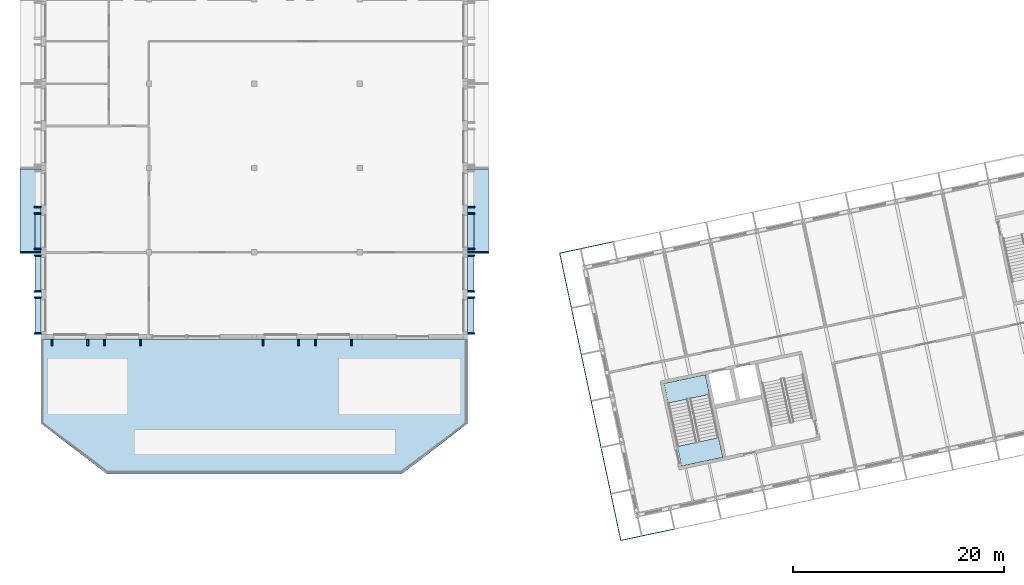
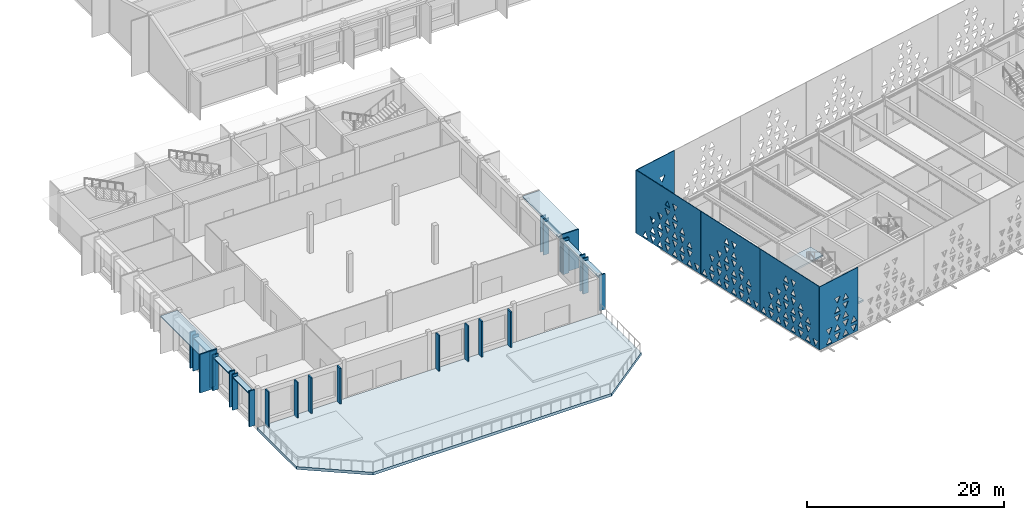
# One storey, part 102 of 196: 37 plates, 3 slabs, 1 element without a shape of its own.
"""IFC4 building model written with IfcOpenShell, lengths in metres."""

from ifc_helpers import new_model, si_unit, direction, frame, origin, origin_2d, place, context, subcontext, project, spatial, polyline, rectangle, outline, extrude, material, layer, layer_set, type_object, element, aggregate, save


model = new_model("IFC4")

# Units and contexts
model_context = context("Model", 3, precision=1e-05, world=origin(), true_north=direction((0.0, 1.0)))
body_context = subcontext(model_context, "Body", "Model", "MODEL_VIEW")
ifc_project = project(units=[si_unit("LENGTHUNIT", "METRE"), si_unit("AREAUNIT", "SQUARE_METRE"), si_unit("VOLUMEUNIT", "CUBIC_METRE"), si_unit("PLANEANGLEUNIT", "RADIAN"), si_unit("MASSUNIT", "GRAM", prefix="KILO")], contexts=[model_context])

# Site, building, storey
site_placement = place(None, origin())
site = spatial("IfcSite", under=ifc_project, at=site_placement, CompositionType="ELEMENT")
building_placement = place(site_placement, origin())
building = spatial("IfcBuilding", under=site, at=building_placement, Name="Okhra Congress Centre", CompositionType="ELEMENT")
storey_placement = place(building_placement, frame((0.0, 0.0, 12.0)))
storey = spatial("IfcBuildingStorey", under=building, at=storey_placement, Name="L02", CompositionType="ELEMENT", Elevation=12.0)

# Plates
ifc_material_1 = material(Name="Anodised aluminium extrusion", Category="aluminium")
plate_type_1 = type_object("IfcPlateType", Name="Aluminium fin 150x650", PredefinedType="SHEET", material=ifc_material_1)
for number, where, z_axis, x_axis, name in (
    (1, (6.800048828125, 43.449951171875, 0.0), (0.0, 0.0, 1.0), (1.0, 0.0, 0.0), "RS.PLT.L02.1"),
    (2, (10.199951171875, 43.449951171875, 0.0), (0.0, 0.0, 1.0), (1.0, 0.0, 0.0), "RS.PLT.L02.2"),
    (3, (11.800048828125, 43.449951171875, 0.0), (0.0, 0.0, 1.0), (1.0, 0.0, 0.0), "RS.PLT.L02.3"),
    (4, (15.199951171875, 43.449951171875, 0.0), (0.0, 0.0, 1.0), (1.0, 0.0, 0.0), "RS.PLT.L02.4"),
    (5, (26.800048828125, 43.449951171875, 0.0), (0.0, 0.0, 1.0), (1.0, 0.0, 0.0), "RS.PLT.L02.5"),
    (6, (30.199951171875, 43.449951171875, 0.0), (0.0, 0.0, 1.0), (1.0, 0.0, 0.0), "RS.PLT.L02.6"),
    (7, (31.800048828125, 43.449951171875, 0.0), (0.0, 0.0, 1.0), (1.0, 0.0, 0.0), "RS.PLT.L02.7"),
    (8, (35.199951171875, 43.449951171875, 0.0), (0.0, 0.0, 1.0), (1.0, 0.0, 0.0), "RS.PLT.L02.8"),
    (9, (5.449951171875, 44.300048828125, 0.0), (0.0, 0.0, 1.0), (0.0, -1.0, 0.0), "RS.PLT.L02.13"),
    (10, (5.449951171875, 47.699951171875, 0.0), (0.0, 0.0, 1.0), (0.0, -1.0, 0.0), "RS.PLT.L02.14"),
    (11, (5.449951171875, 48.300048828125, 0.0), (0.0, 0.0, 1.0), (0.0, -1.0, 0.0), "RS.PLT.L02.15"),
    (12, (5.449951171875, 51.699951171875, 0.0), (0.0, 0.0, 1.0), (0.0, -1.0, 0.0), "RS.PLT.L02.16"),
    (13, (5.449951171875, 52.300048828125, 0.0), (0.0, 0.0, 1.0), (0.0, -1.0, 0.0), "RS.PLT.L02.17"),
    (14, (5.449951171875, 55.699951171875, 0.0), (0.0, 0.0, 1.0), (0.0, -1.0, 0.0), "RS.PLT.L02.18"),
    (15, (5.449951171875, 56.300048828125, 0.0), (0.0, 0.0, 1.0), (0.0, -1.0, 0.0), "RS.PLT.L02.19"),
    (16, (46.550048828125, 44.300048828125, 0.0), (0.0, 0.0, 1.0), (0.0, 1.0, 0.0), "RS.PLT.L02.29"),
    (17, (46.550048828125, 47.699951171875, 0.0), (0.0, 0.0, 1.0), (0.0, 1.0, 0.0), "RS.PLT.L02.30"),
    (18, (46.550048828125, 48.300048828125, 0.0), (0.0, 0.0, 1.0), (0.0, 1.0, 0.0), "RS.PLT.L02.31"),
    (19, (46.550048828125, 51.699951171875, 0.0), (0.0, 0.0, 1.0), (0.0, 1.0, 0.0), "RS.PLT.L02.32"),
    (20, (46.550048828125, 52.300048828125, 0.0), (0.0, 0.0, 1.0), (0.0, 1.0, 0.0), "RS.PLT.L02.33"),
    (21, (46.550048828125, 55.699951171875, 0.0), (0.0, 0.0, 1.0), (0.0, 1.0, 0.0), "RS.PLT.L02.34"),
    (22, (46.550048828125, 56.300048828125, 0.0), (0.0, 0.0, 1.0), (0.0, 1.0, 0.0), "RS.PLT.L02.35"),
):
    element("IfcPlate", number, at=place(storey_placement, frame(where, z_axis=z_axis, x_axis=x_axis)), inside=storey, type_object=plate_type_1, Name=name, PredefinedType="SHEET", context=body_context, shape_type="SweptSolid", body=[
        extrude(rectangle(XDim=0.14990234375, YDim=0.64990234375, at=origin_2d()), origin(), (0.0, 0.0, 1.0), 4.429931640625),
    ])
ifc_material_2 = material(Name="Precast concrete C40/50", Category="concrete")
plate_type_2 = type_object("IfcPlateType", Name="Precast concrete blade 150x2000 C40/50", PredefinedType="SHEET", material=ifc_material_2)
for number, where, z_axis, x_axis, name in (
    (23, (4.77490234375, 52.0, 0.0), (0.0, 0.0, 1.0), (0.0, -1.0, 0.0), "RS.PLT.L02.blade-19"),
    (24, (47.22509765625, 52.0, 0.0), (0.0, 0.0, 1.0), (0.0, 1.0, 0.0), "RS.PLT.L02.blade-23"),
):
    element("IfcPlate", number, at=place(storey_placement, frame(where, z_axis=z_axis, x_axis=x_axis)), inside=storey, type_object=plate_type_2, Name=name, PredefinedType="SHEET", context=body_context, shape_type="SweptSolid", body=[
        extrude(rectangle(XDim=0.14990234375, YDim=2.0, at=origin_2d()), origin(), (0.0, 0.0, 1.0), 4.800048828125),
    ])
ifc_layer_1 = layer(ifc_material_2, 0.14990234375)
ifc_layer_set_1 = layer_set([ifc_layer_1], Name="Precast concrete shelf 150x2000 C40/50")
plate_type_3 = type_object("IfcPlateType", Name="Precast concrete shelf 150x2000 C40/50", PredefinedType="SHEET", material=ifc_layer_set_1)
for number, where, z_axis, x_axis, name in (
    (25, (4.77490234375, 56.0, 4.60009765625), (0.0, 0.0, 1.0), (0.0, -1.0, 0.0), "RS.PLT.L02.shelf-17"),
    (26, (47.22509765625, 56.0, 4.60009765625), (0.0, 0.0, 1.0), (0.0, 1.0, 0.0), "RS.PLT.L02.shelf-21"),
):
    element("IfcPlate", number, at=place(storey_placement, frame(where, z_axis=z_axis, x_axis=x_axis)), inside=storey, type_object=plate_type_3, Name=name, PredefinedType="SHEET", context=body_context, shape_type="SweptSolid", body=[
        extrude(rectangle(XDim=7.840087890625, YDim=2.0, at=origin_2d()), origin(), (0.0, 0.0, 1.0), 0.14990234375),
    ])

# Slab
ifc_material_3 = material(Name="Concrete C30/37", Category="concrete")
ifc_layer_2 = layer(ifc_material_3, 0.199951171875)
ifc_layer_set_2 = layer_set([ifc_layer_2], Name="RC floor slab 200 REI 120 C30/37")
slab_type_1 = type_object("IfcSlabType", Name="RC floor slab 200 REI 120 C30/37", PredefinedType="FLOOR", material=ifc_layer_set_2)
slab_1_placement = place(storey_placement, frame((0.0, 0.0, -0.199951171875)))
element("IfcSlab", 27, at=slab_1_placement, inside=storey, type_object=slab_type_1, Name="Stair floor landing 1A L02", PredefinedType="FLOOR", context=body_context, shape_type="SweptSolid", body=[
    extrude(outline(polyline([(70.425537109375, 32.562255859375), (66.503173828125, 31.728515625), (66.106201171875, 33.596923828125), (70.028564453125, 34.4306640625), (70.425537109375, 32.562255859375)])), origin(), (0.0, 0.0, 1.0), 0.199951171875),
])

# Stair, slab
stair_type = type_object("IfcStairType", Name="Escape stair 1900 wide, 30 risers of 160.0", PredefinedType="HALF_TURN_STAIR", material=ifc_material_3)
stair_placement = place(storey_placement, origin())
stair = element("IfcStair", 28, at=stair_placement, inside=storey, type_object=stair_type, Name="L02 Escape stair 1A", PredefinedType="HALF_TURN_STAIR")
ifc_layer_3 = layer(ifc_material_3, 0.199951171875)
ifc_layer_set_3 = layer_set([ifc_layer_3], Name="RC stair landing 200 C30/37")
slab_type_2 = type_object("IfcSlabType", Name="RC stair landing 200 C30/37", PredefinedType="LANDING", material=ifc_layer_set_3)
slab_2_placement = place(storey_placement, frame((0.0, 0.0, 2.199951171875)))
slab_2 = element("IfcSlab", 29, at=slab_2_placement, type_object=slab_type_2, Name="BS1A landing 1", PredefinedType="LANDING", context=body_context, shape_type="SweptSolid", body=[
    extrude(outline(polyline([(69.1572265625, 38.529052734375), (65.23486328125, 37.6953125), (64.837890625, 39.5634765625), (68.76025390625, 40.397216796875), (69.1572265625, 38.529052734375)])), origin(), (0.0, 0.0, 1.0), 0.199951171875),
])
aggregate(stair, [slab_2])

# Slab
ifc_material_4 = material(Name="Concrete C35/45", Category="concrete")
ifc_layer_4 = layer(ifc_material_4, 0.35009765625)
ifc_layer_set_4 = layer_set([ifc_layer_4], Name="RC terrace slab 350 REI 120 C35/45")
slab_type_3 = type_object("IfcSlabType", Name="RC terrace slab 350 REI 120 C35/45", PredefinedType="ROOF", material=ifc_layer_set_4)
slab_3_placement = place(storey_placement, frame((0.0, 0.0, -0.35009765625)))
element("IfcSlab", 30, at=slab_3_placement, inside=storey, type_object=slab_type_3, Name="Restaurant terrace slab with prow", PredefinedType="ROOF", context=body_context, shape_type="SweptSolid", body=[
    extrude(outline(polyline([(5.77490234375, 35.77490234375), (12.0, 31.0), (40.0, 31.0), (46.22509765625, 35.77490234375), (46.22509765625, 43.77490234375), (5.77490234375, 43.77490234375), (5.77490234375, 35.77490234375)])), origin(), (0.0, 0.0, 1.0), 0.35009765625),
])

# Plates
ifc_material_5 = material(Name="Fired clay terracotta rainscreen panel, deep oxide-red glaze, non-combustible", Category="masonry")
ifc_layer_5 = layer(ifc_material_5, 0.080078125)
ifc_layer_set_5 = layer_set([ifc_layer_5], Name="Terracotta screen panel 5230x7840")
plate_type_4 = type_object("IfcPlateType", Name="Terracotta screen panel 5230x7840", PredefinedType="SHEET", material=ifc_layer_set_5)
plate_1_placement = place(storey_placement, frame((60.708251953125, 24.674560546875, 1.949951171875), z_axis=(0.0, 0.0, 1.0), x_axis=(0.978146748157, 0.207915701837, 0.0)))
element("IfcPlate", 31, at=plate_1_placement, inside=storey, type_object=plate_type_4, Name="Screen panel S1 Tier 2", PredefinedType="SHEET", context=body_context, shape_type="SweptSolid", body=[
    extrude(outline(polyline([(0.0, 0.0), (5.22998046875, 0.0), (5.22998046875, 7.840087890625), (0.0, 7.840087890625), (0.0, 0.0)]), holes=[polyline([(0.926513671875, 0.183837890625), (1.693603515625, 0.183837890625), (1.31005859375, 0.93603515625), (0.926513671875, 0.183837890625)]), polyline([(2.04638671875, 0.93603515625), (2.429931640625, 0.183837890625), (2.8134765625, 0.93603515625), (2.04638671875, 0.93603515625)]), polyline([(3.16650390625, 0.183837890625), (3.93359375, 0.183837890625), (3.550048828125, 0.93603515625), (3.16650390625, 0.183837890625)]), polyline([(4.286376953125, 0.93603515625), (4.669921875, 0.183837890625), (5.0537109375, 0.93603515625), (4.286376953125, 0.93603515625)]), polyline([(0.926513671875, 2.05615234375), (1.31005859375, 1.303955078125), (1.693603515625, 2.05615234375), (0.926513671875, 2.05615234375)]), polyline([(2.04638671875, 1.303955078125), (2.8134765625, 1.303955078125), (2.429931640625, 2.05615234375), (2.04638671875, 1.303955078125)]), polyline([(3.16650390625, 2.05615234375), (3.550048828125, 1.303955078125), (3.93359375, 2.05615234375), (3.16650390625, 2.05615234375)]), polyline([(4.286376953125, 1.303955078125), (5.0537109375, 1.303955078125), (4.669921875, 2.05615234375), (4.286376953125, 1.303955078125)]), polyline([(2.04638671875, 3.176025390625), (2.429931640625, 2.423828125), (2.8134765625, 3.176025390625), (2.04638671875, 3.176025390625)]), polyline([(3.16650390625, 2.423828125), (3.93359375, 2.423828125), (3.550048828125, 3.176025390625), (3.16650390625, 2.423828125)]), polyline([(2.04638671875, 3.5439453125), (2.8134765625, 3.5439453125), (2.429931640625, 4.296142578125), (2.04638671875, 3.5439453125)]), polyline([(3.16650390625, 4.296142578125), (3.550048828125, 3.5439453125), (3.93359375, 4.296142578125), (3.16650390625, 4.296142578125)]), polyline([(2.04638671875, 5.416015625), (2.429931640625, 4.663818359375), (2.8134765625, 5.416015625), (2.04638671875, 5.416015625)]), polyline([(3.16650390625, 4.663818359375), (3.93359375, 4.663818359375), (3.550048828125, 5.416015625), (3.16650390625, 4.663818359375)])]), frame((0.0, 0.0400390625, 0.0), z_axis=(0.0, -1.0, 0.0), x_axis=(1.0, 0.0, 0.0)), (0.0, 0.0, 1.0), 0.080078125),
])
plate_2_placement = place(storey_placement, frame((60.033447265625, 53.00341796875, 1.949951171875), z_axis=(0.0, 0.0, 1.0), x_axis=(-0.978146748157, -0.207915701837, 0.0)))
element("IfcPlate", 32, at=plate_2_placement, inside=storey, type_object=plate_type_4, Name="Screen panel N19 Tier 2", PredefinedType="SHEET", context=body_context, shape_type="SweptSolid", body=[
    extrude(outline(polyline([(0.0, 0.0), (5.22998046875, 0.0), (5.22998046875, 7.840087890625), (0.0, 7.840087890625), (0.0, 0.0)]), holes=[polyline([(0.176513671875, 0.183837890625), (0.943603515625, 0.183837890625), (0.56005859375, 0.93603515625), (0.176513671875, 0.183837890625)]), polyline([(1.29638671875, 0.93603515625), (1.679931640625, 0.183837890625), (2.0634765625, 0.93603515625), (1.29638671875, 0.93603515625)]), polyline([(2.41650390625, 0.183837890625), (3.18359375, 0.183837890625), (2.800048828125, 0.93603515625), (2.41650390625, 0.183837890625)]), polyline([(3.536376953125, 0.93603515625), (3.919921875, 0.183837890625), (4.3037109375, 0.93603515625), (3.536376953125, 0.93603515625)]), polyline([(0.176513671875, 2.05615234375), (0.56005859375, 1.303955078125), (0.943603515625, 2.05615234375), (0.176513671875, 2.05615234375)]), polyline([(1.29638671875, 1.303955078125), (2.0634765625, 1.303955078125), (1.679931640625, 2.05615234375), (1.29638671875, 1.303955078125)]), polyline([(2.41650390625, 2.05615234375), (2.800048828125, 1.303955078125), (3.18359375, 2.05615234375), (2.41650390625, 2.05615234375)]), polyline([(3.536376953125, 1.303955078125), (4.3037109375, 1.303955078125), (3.919921875, 2.05615234375), (3.536376953125, 1.303955078125)]), polyline([(1.29638671875, 3.176025390625), (1.679931640625, 2.423828125), (2.0634765625, 3.176025390625), (1.29638671875, 3.176025390625)]), polyline([(2.41650390625, 2.423828125), (3.18359375, 2.423828125), (2.800048828125, 3.176025390625), (2.41650390625, 2.423828125)]), polyline([(1.29638671875, 3.5439453125), (2.0634765625, 3.5439453125), (1.679931640625, 4.296142578125), (1.29638671875, 3.5439453125)]), polyline([(2.41650390625, 4.296142578125), (2.800048828125, 3.5439453125), (3.18359375, 4.296142578125), (2.41650390625, 4.296142578125)]), polyline([(1.29638671875, 5.416015625), (1.679931640625, 4.663818359375), (2.0634765625, 5.416015625), (1.29638671875, 5.416015625)]), polyline([(2.41650390625, 4.663818359375), (3.18359375, 4.663818359375), (2.800048828125, 5.416015625), (2.41650390625, 4.663818359375)])]), frame((0.0, 0.0400390625, 0.0), z_axis=(0.0, -1.0, 0.0), x_axis=(1.0, 0.0, 0.0)), (0.0, 0.0, 1.0), 0.080078125),
])
ifc_layer_6 = layer(ifc_material_5, 0.080078125)
ifc_layer_set_6 = layer_set([ifc_layer_6], Name="Terracotta screen panel 8970x7840")
plate_type_5 = type_object("IfcPlateType", Name="Terracotta screen panel 8970x7840", PredefinedType="SHEET", material=ifc_layer_set_6)
plate_3_placement = place(storey_placement, frame((58.8740234375, 33.49609375, 1.949951171875), z_axis=(0.0, 0.0, 1.0), x_axis=(0.207915396115, -0.978146813141, 0.0)))
element("IfcPlate", 33, at=plate_3_placement, inside=storey, type_object=plate_type_5, Name="Screen panel W3 Tier 2", PredefinedType="SHEET", context=body_context, shape_type="SweptSolid", body=[
    extrude(outline(polyline([(0.0, 0.0), (8.969970703125, 0.0), (8.969970703125, 7.840087890625), (0.0, 7.840087890625), (0.0, 0.0)]), holes=[polyline([(0.176513671875, 0.183837890625), (0.943603515625, 0.183837890625), (0.56005859375, 0.93603515625), (0.176513671875, 0.183837890625)]), polyline([(1.29638671875, 0.93603515625), (1.679931640625, 0.183837890625), (2.0634765625, 0.93603515625), (1.29638671875, 0.93603515625)]), polyline([(2.41650390625, 0.183837890625), (3.18359375, 0.183837890625), (2.800048828125, 0.93603515625), (2.41650390625, 0.183837890625)]), polyline([(3.536376953125, 0.93603515625), (3.919921875, 0.183837890625), (4.3037109375, 0.93603515625), (3.536376953125, 0.93603515625)]), polyline([(4.656494140625, 0.183837890625), (5.423583984375, 0.183837890625), (5.0400390625, 0.93603515625), (4.656494140625, 0.183837890625)]), polyline([(5.7763671875, 0.93603515625), (6.159912109375, 0.183837890625), (6.543701171875, 0.93603515625), (5.7763671875, 0.93603515625)]), polyline([(6.896484375, 0.183837890625), (7.66357421875, 0.183837890625), (7.280029296875, 0.93603515625), (6.896484375, 0.183837890625)]), polyline([(8.016357421875, 0.93603515625), (8.39990234375, 0.183837890625), (8.78369140625, 0.93603515625), (8.016357421875, 0.93603515625)]), polyline([(1.29638671875, 1.303955078125), (2.0634765625, 1.303955078125), (1.679931640625, 2.05615234375), (1.29638671875, 1.303955078125)]), polyline([(2.41650390625, 2.05615234375), (2.800048828125, 1.303955078125), (3.18359375, 2.05615234375), (2.41650390625, 2.05615234375)]), polyline([(3.536376953125, 1.303955078125), (4.3037109375, 1.303955078125), (3.919921875, 2.05615234375), (3.536376953125, 1.303955078125)]), polyline([(4.656494140625, 2.05615234375), (5.0400390625, 1.303955078125), (5.423583984375, 2.05615234375), (4.656494140625, 2.05615234375)]), polyline([(5.7763671875, 1.303955078125), (6.543701171875, 1.303955078125), (6.159912109375, 2.05615234375), (5.7763671875, 1.303955078125)]), polyline([(6.896484375, 2.05615234375), (7.280029296875, 1.303955078125), (7.66357421875, 2.05615234375), (6.896484375, 2.05615234375)]), polyline([(1.29638671875, 3.176025390625), (1.679931640625, 2.423828125), (2.0634765625, 3.176025390625), (1.29638671875, 3.176025390625)]), polyline([(2.41650390625, 2.423828125), (3.18359375, 2.423828125), (2.800048828125, 3.176025390625), (2.41650390625, 2.423828125)]), polyline([(3.536376953125, 3.176025390625), (3.919921875, 2.423828125), (4.3037109375, 3.176025390625), (3.536376953125, 3.176025390625)]), polyline([(4.656494140625, 2.423828125), (5.423583984375, 2.423828125), (5.0400390625, 3.176025390625), (4.656494140625, 2.423828125)]), polyline([(5.7763671875, 3.176025390625), (6.159912109375, 2.423828125), (6.543701171875, 3.176025390625), (5.7763671875, 3.176025390625)]), polyline([(6.896484375, 2.423828125), (7.66357421875, 2.423828125), (7.280029296875, 3.176025390625), (6.896484375, 2.423828125)]), polyline([(2.41650390625, 4.296142578125), (2.800048828125, 3.5439453125), (3.18359375, 4.296142578125), (2.41650390625, 4.296142578125)]), polyline([(3.536376953125, 3.5439453125), (4.3037109375, 3.5439453125), (3.919921875, 4.296142578125), (3.536376953125, 3.5439453125)]), polyline([(4.656494140625, 4.296142578125), (5.0400390625, 3.5439453125), (5.423583984375, 4.296142578125), (4.656494140625, 4.296142578125)]), polyline([(5.7763671875, 3.5439453125), (6.543701171875, 3.5439453125), (6.159912109375, 4.296142578125), (5.7763671875, 3.5439453125)]), polyline([(3.536376953125, 5.416015625), (3.919921875, 4.663818359375), (4.3037109375, 5.416015625), (3.536376953125, 5.416015625)]), polyline([(4.656494140625, 4.663818359375), (5.423583984375, 4.663818359375), (5.0400390625, 5.416015625), (4.656494140625, 4.663818359375)]), polyline([(3.536376953125, 5.783935546875), (4.3037109375, 5.783935546875), (3.919921875, 6.5361328125), (3.536376953125, 5.783935546875)]), polyline([(4.656494140625, 6.5361328125), (5.0400390625, 5.783935546875), (5.423583984375, 6.5361328125), (4.656494140625, 6.5361328125)])]), frame((0.0, 0.0400390625, 0.0), z_axis=(0.0, -1.0, 0.0), x_axis=(1.0, 0.0, 0.0)), (0.0, 0.0, 1.0), 0.080078125),
])
ifc_layer_7 = layer(ifc_material_5, 0.080078125)
ifc_layer_set_7 = layer_set([ifc_layer_7], Name="Terracotta screen panel 8980x7840")
plate_type_6 = type_object("IfcPlateType", Name="Terracotta screen panel 8980x7840", PredefinedType="SHEET", material=ifc_layer_set_7)
plate_4_placement = place(storey_placement, frame((57.0029296875, 42.29931640625, 1.949951171875), z_axis=(0.0, 0.0, 1.0), x_axis=(0.207902327047, -0.978149591018, 0.0)))
element("IfcPlate", 34, at=plate_4_placement, inside=storey, type_object=plate_type_6, Name="Screen panel W2 Tier 2", PredefinedType="SHEET", context=body_context, shape_type="SweptSolid", body=[
    extrude(outline(polyline([(0.0, 0.0), (8.97998046875, 0.0), (8.97998046875, 7.840087890625), (0.0, 7.840087890625), (0.0, 0.0)]), holes=[polyline([(0.176513671875, 0.183837890625), (0.943603515625, 0.183837890625), (0.56005859375, 0.93603515625), (0.176513671875, 0.183837890625)]), polyline([(1.29638671875, 0.93603515625), (1.679931640625, 0.183837890625), (2.0634765625, 0.93603515625), (1.29638671875, 0.93603515625)]), polyline([(2.41650390625, 0.183837890625), (3.18359375, 0.183837890625), (2.800048828125, 0.93603515625), (2.41650390625, 0.183837890625)]), polyline([(3.536376953125, 0.93603515625), (3.919921875, 0.183837890625), (4.3037109375, 0.93603515625), (3.536376953125, 0.93603515625)]), polyline([(4.656494140625, 0.183837890625), (5.423583984375, 0.183837890625), (5.0400390625, 0.93603515625), (4.656494140625, 0.183837890625)]), polyline([(5.7763671875, 0.93603515625), (6.159912109375, 0.183837890625), (6.543701171875, 0.93603515625), (5.7763671875, 0.93603515625)]), polyline([(6.896484375, 0.183837890625), (7.66357421875, 0.183837890625), (7.280029296875, 0.93603515625), (6.896484375, 0.183837890625)]), polyline([(8.016357421875, 0.93603515625), (8.39990234375, 0.183837890625), (8.78369140625, 0.93603515625), (8.016357421875, 0.93603515625)]), polyline([(1.29638671875, 1.303955078125), (2.0634765625, 1.303955078125), (1.679931640625, 2.05615234375), (1.29638671875, 1.303955078125)]), polyline([(2.41650390625, 2.05615234375), (2.800048828125, 1.303955078125), (3.18359375, 2.05615234375), (2.41650390625, 2.05615234375)]), polyline([(3.536376953125, 1.303955078125), (4.3037109375, 1.303955078125), (3.919921875, 2.05615234375), (3.536376953125, 1.303955078125)]), polyline([(4.656494140625, 2.05615234375), (5.0400390625, 1.303955078125), (5.423583984375, 2.05615234375), (4.656494140625, 2.05615234375)]), polyline([(5.7763671875, 1.303955078125), (6.543701171875, 1.303955078125), (6.159912109375, 2.05615234375), (5.7763671875, 1.303955078125)]), polyline([(6.896484375, 2.05615234375), (7.280029296875, 1.303955078125), (7.66357421875, 2.05615234375), (6.896484375, 2.05615234375)]), polyline([(1.29638671875, 3.176025390625), (1.679931640625, 2.423828125), (2.0634765625, 3.176025390625), (1.29638671875, 3.176025390625)]), polyline([(2.41650390625, 2.423828125), (3.18359375, 2.423828125), (2.800048828125, 3.176025390625), (2.41650390625, 2.423828125)]), polyline([(3.536376953125, 3.176025390625), (3.919921875, 2.423828125), (4.3037109375, 3.176025390625), (3.536376953125, 3.176025390625)]), polyline([(4.656494140625, 2.423828125), (5.423583984375, 2.423828125), (5.0400390625, 3.176025390625), (4.656494140625, 2.423828125)]), polyline([(5.7763671875, 3.176025390625), (6.159912109375, 2.423828125), (6.543701171875, 3.176025390625), (5.7763671875, 3.176025390625)]), polyline([(6.896484375, 2.423828125), (7.66357421875, 2.423828125), (7.280029296875, 3.176025390625), (6.896484375, 2.423828125)]), polyline([(2.41650390625, 4.296142578125), (2.800048828125, 3.5439453125), (3.18359375, 4.296142578125), (2.41650390625, 4.296142578125)]), polyline([(3.536376953125, 3.5439453125), (4.3037109375, 3.5439453125), (3.919921875, 4.296142578125), (3.536376953125, 3.5439453125)]), polyline([(4.656494140625, 4.296142578125), (5.0400390625, 3.5439453125), (5.423583984375, 4.296142578125), (4.656494140625, 4.296142578125)]), polyline([(5.7763671875, 3.5439453125), (6.543701171875, 3.5439453125), (6.159912109375, 4.296142578125), (5.7763671875, 3.5439453125)]), polyline([(3.536376953125, 5.416015625), (3.919921875, 4.663818359375), (4.3037109375, 5.416015625), (3.536376953125, 5.416015625)]), polyline([(4.656494140625, 4.663818359375), (5.423583984375, 4.663818359375), (5.0400390625, 5.416015625), (4.656494140625, 4.663818359375)]), polyline([(3.536376953125, 5.783935546875), (4.3037109375, 5.783935546875), (3.919921875, 6.5361328125), (3.536376953125, 5.783935546875)]), polyline([(4.656494140625, 6.5361328125), (5.0400390625, 5.783935546875), (5.423583984375, 6.5361328125), (4.656494140625, 6.5361328125)])]), frame((0.0, 0.0400390625, 0.0), z_axis=(0.0, -1.0, 0.0), x_axis=(1.0, 0.0, 0.0)), (0.0, 0.0, 1.0), 0.080078125),
])
ifc_layer_8 = layer(ifc_material_5, 0.080078125)
ifc_layer_set_8 = layer_set([ifc_layer_8], Name="Terracotta screen panel 9780x7840")
plate_type_7 = type_object("IfcPlateType", Name="Terracotta screen panel 9780x7840", PredefinedType="SHEET", material=ifc_layer_set_8)
plate_5_placement = place(storey_placement, frame((54.96533203125, 51.88525390625, 1.949951171875), z_axis=(0.0, 0.0, 1.0), x_axis=(0.207916077978, -0.978146668204, 0.0)))
element("IfcPlate", 35, at=plate_5_placement, inside=storey, type_object=plate_type_7, Name="Screen panel W1 Tier 2", PredefinedType="SHEET", context=body_context, shape_type="SweptSolid", body=[
    extrude(outline(polyline([(0.0, 0.0), (9.780029296875, 0.0), (9.780029296875, 7.840087890625), (0.0, 7.840087890625), (0.0, 0.0)]), holes=[polyline([(0.996337890625, 0.183837890625), (1.763671875, 0.183837890625), (1.3798828125, 0.93603515625), (0.996337890625, 0.183837890625)]), polyline([(2.116455078125, 0.93603515625), (2.5, 0.183837890625), (2.883544921875, 0.93603515625), (2.116455078125, 0.93603515625)]), polyline([(3.236328125, 0.183837890625), (4.003662109375, 0.183837890625), (3.6201171875, 0.93603515625), (3.236328125, 0.183837890625)]), polyline([(4.3564453125, 0.93603515625), (4.739990234375, 0.183837890625), (5.12353515625, 0.93603515625), (4.3564453125, 0.93603515625)]), polyline([(5.476318359375, 0.183837890625), (6.24365234375, 0.183837890625), (5.860107421875, 0.93603515625), (5.476318359375, 0.183837890625)]), polyline([(6.596435546875, 0.93603515625), (6.97998046875, 0.183837890625), (7.363525390625, 0.93603515625), (6.596435546875, 0.93603515625)]), polyline([(7.71630859375, 0.183837890625), (8.483642578125, 0.183837890625), (8.10009765625, 0.93603515625), (7.71630859375, 0.183837890625)]), polyline([(8.83642578125, 0.93603515625), (9.219970703125, 0.183837890625), (9.603515625, 0.93603515625), (8.83642578125, 0.93603515625)]), polyline([(2.116455078125, 1.303955078125), (2.883544921875, 1.303955078125), (2.5, 2.05615234375), (2.116455078125, 1.303955078125)]), polyline([(3.236328125, 2.05615234375), (3.6201171875, 1.303955078125), (4.003662109375, 2.05615234375), (3.236328125, 2.05615234375)]), polyline([(4.3564453125, 1.303955078125), (5.12353515625, 1.303955078125), (4.739990234375, 2.05615234375), (4.3564453125, 1.303955078125)]), polyline([(5.476318359375, 2.05615234375), (5.860107421875, 1.303955078125), (6.24365234375, 2.05615234375), (5.476318359375, 2.05615234375)]), polyline([(6.596435546875, 1.303955078125), (7.363525390625, 1.303955078125), (6.97998046875, 2.05615234375), (6.596435546875, 1.303955078125)]), polyline([(7.71630859375, 2.05615234375), (8.10009765625, 1.303955078125), (8.483642578125, 2.05615234375), (7.71630859375, 2.05615234375)]), polyline([(2.116455078125, 3.176025390625), (2.5, 2.423828125), (2.883544921875, 3.176025390625), (2.116455078125, 3.176025390625)]), polyline([(3.236328125, 2.423828125), (4.003662109375, 2.423828125), (3.6201171875, 3.176025390625), (3.236328125, 2.423828125)]), polyline([(4.3564453125, 3.176025390625), (4.739990234375, 2.423828125), (5.12353515625, 3.176025390625), (4.3564453125, 3.176025390625)]), polyline([(5.476318359375, 2.423828125), (6.24365234375, 2.423828125), (5.860107421875, 3.176025390625), (5.476318359375, 2.423828125)]), polyline([(6.596435546875, 3.176025390625), (6.97998046875, 2.423828125), (7.363525390625, 3.176025390625), (6.596435546875, 3.176025390625)]), polyline([(7.71630859375, 2.423828125), (8.483642578125, 2.423828125), (8.10009765625, 3.176025390625), (7.71630859375, 2.423828125)]), polyline([(3.236328125, 4.296142578125), (3.6201171875, 3.5439453125), (4.003662109375, 4.296142578125), (3.236328125, 4.296142578125)]), polyline([(4.3564453125, 3.5439453125), (5.12353515625, 3.5439453125), (4.739990234375, 4.296142578125), (4.3564453125, 3.5439453125)]), polyline([(5.476318359375, 4.296142578125), (5.860107421875, 3.5439453125), (6.24365234375, 4.296142578125), (5.476318359375, 4.296142578125)]), polyline([(6.596435546875, 3.5439453125), (7.363525390625, 3.5439453125), (6.97998046875, 4.296142578125), (6.596435546875, 3.5439453125)]), polyline([(4.3564453125, 5.416015625), (4.739990234375, 4.663818359375), (5.12353515625, 5.416015625), (4.3564453125, 5.416015625)]), polyline([(5.476318359375, 4.663818359375), (6.24365234375, 4.663818359375), (5.860107421875, 5.416015625), (5.476318359375, 4.663818359375)]), polyline([(4.3564453125, 5.783935546875), (5.12353515625, 5.783935546875), (4.739990234375, 6.5361328125), (4.3564453125, 5.783935546875)]), polyline([(5.476318359375, 6.5361328125), (5.860107421875, 5.783935546875), (6.24365234375, 6.5361328125), (5.476318359375, 6.5361328125)])]), frame((0.0, 0.0400390625, 0.0), z_axis=(0.0, -1.0, 0.0), x_axis=(1.0, 0.0, 0.0)), (0.0, 0.0, 1.0), 0.080078125),
])
ifc_material_6 = material(Name="Weathering steel S355J0WP", Category="steel")
ifc_layer_9 = layer(ifc_material_6, 0.1201171875)
ifc_layer_set_9 = layer_set([ifc_layer_9], Name="Weathering steel window hood 600x120")
plate_type_8 = type_object("IfcPlateType", Name="Weathering steel window hood 600x120", PredefinedType="SHEET", material=ifc_layer_set_9)
for number, where, z_axis, x_axis, name in (
    (36, (5.47509765625, 46.0, 3.989990234375), (0.0, 0.0, 1.0), (0.0, -1.0, 0.0), "RS.PLT.L02.hood-22"),
    (37, (5.47509765625, 50.0, 3.989990234375), (0.0, 0.0, 1.0), (0.0, -1.0, 0.0), "RS.PLT.L02.hood-23"),
    (38, (5.47509765625, 54.0, 3.989990234375), (0.0, 0.0, 1.0), (0.0, -1.0, 0.0), "RS.PLT.L02.hood-24"),
    (39, (46.52490234375, 46.0, 3.989990234375), (0.0, 0.0, 1.0), (0.0, 1.0, 0.0), "RS.PLT.L02.hood-30"),
    (40, (46.52490234375, 50.0, 3.989990234375), (0.0, 0.0, 1.0), (0.0, 1.0, 0.0), "RS.PLT.L02.hood-31"),
    (41, (46.52490234375, 54.0, 3.989990234375), (0.0, 0.0, 1.0), (0.0, 1.0, 0.0), "RS.PLT.L02.hood-32"),
):
    element("IfcPlate", number, at=place(storey_placement, frame(where, z_axis=z_axis, x_axis=x_axis)), inside=storey, type_object=plate_type_8, Name=name, PredefinedType="SHEET", context=body_context, shape_type="SweptSolid", body=[
        extrude(rectangle(XDim=3.239990234375, YDim=0.60009765625, at=origin_2d()), origin(), (0.0, 0.0, 1.0), 0.1201171875),
    ])

save(model, "model.ifc")
